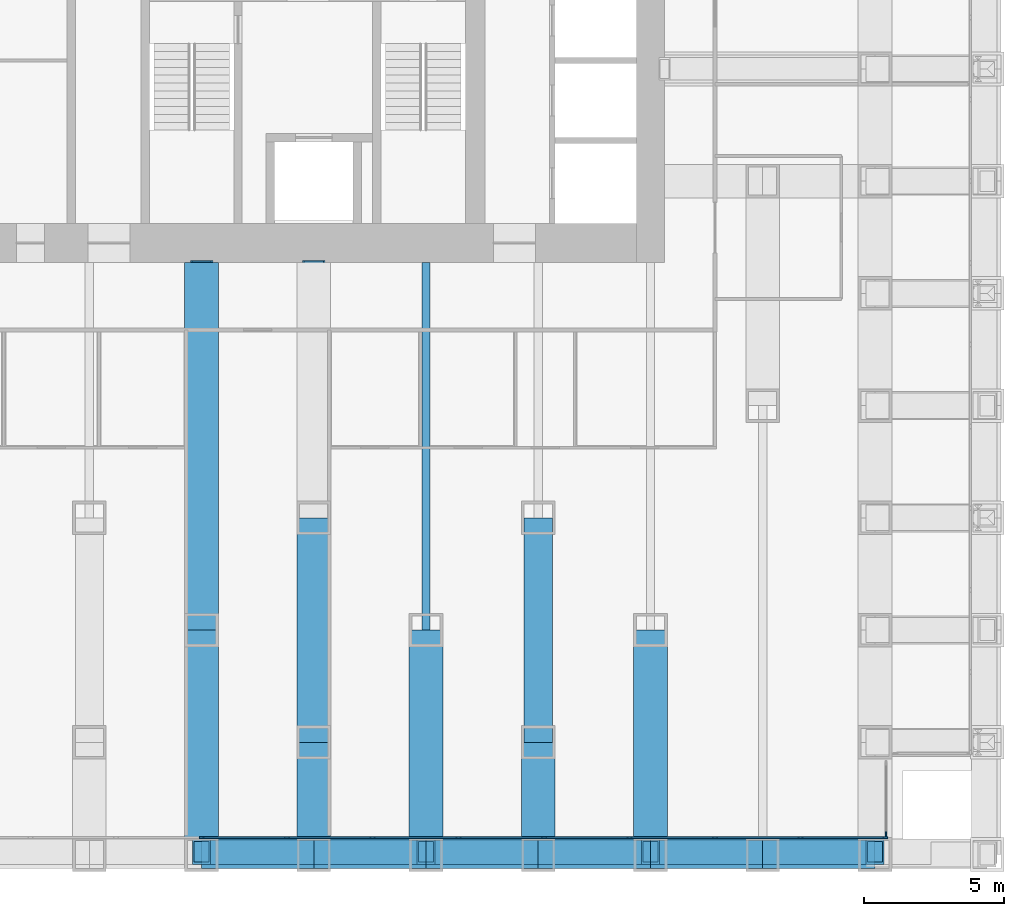
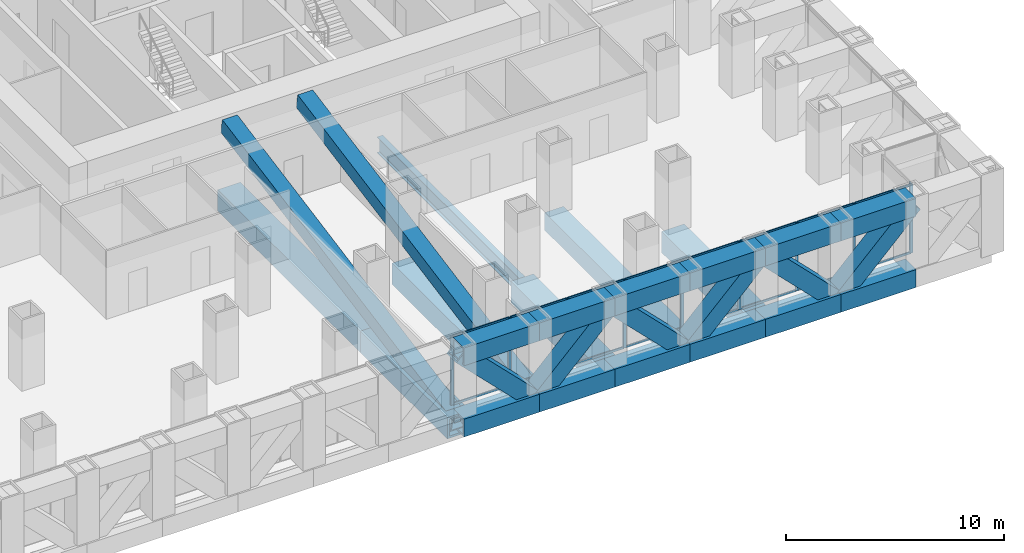
# One storey, part 5 of 18: 34 members, 21 beams, 2 elements without a shape of their own.
"""IFC4 building model written with IfcOpenShell, lengths in metres."""

import ifcopenshell
import ifcopenshell.guid

model = None  # the IFC model being written
_history = None  # IfcOwnerHistory: only IFC2X3 demands one
_inside = {}  # id of a spatial element -> (the spatial element, [elements in it])
_under = {}  # id of a project, library or spatial element -> (it, [spatial elements below it])
_declared = {}  # id of a project -> (the project, [libraries it declares])
_typed = {}  # id of a type object -> (the type object, [elements of that type])
_made_of = {}  # id of a material, layer set ... -> (it, [elements and type objects made of it])


def new_model(schema):
    """Start an empty IFC model of exactly this schema.

    Asked for "IFC4X3", IfcOpenShell would pick the latest addendum, in which some entities
    have other attributes; the version numbers below select the first issue.
    IFC2X3 requires an IfcOwnerHistory on every rooted entity: one is made here for all.
    """
    global model, _history
    if schema == "IFC4X3":
        model = ifcopenshell.file(schema_version=(4, 3, 0, 0))
    else:
        model = ifcopenshell.file(schema=schema)
    _inside.clear()
    _under.clear()
    _declared.clear()
    _typed.clear()
    _made_of.clear()
    _history = None
    if model.schema == "IFC2X3":
        org = make("IfcOrganization", Name="unknown")
        user = make(
            "IfcPersonAndOrganization",
            ThePerson=make("IfcPerson", FamilyName="unknown"),
            TheOrganization=org,
        )
        app = make(
            "IfcApplication",
            ApplicationDeveloper=org,
            Version="unknown",
            ApplicationFullName="unknown",
            ApplicationIdentifier="unknown",
        )
        _history = make(
            "IfcOwnerHistory",
            OwningUser=user,
            OwningApplication=app,
            ChangeAction="ADDED",
            CreationDate=0,
        )
    return model


def make(cls, **values):
    """One entity of the class cls with the attributes given. An attribute that is None is left unset."""
    return model.create_entity(
        cls, **{name: value for name, value in values.items() if value is not None}
    )


def rooted(cls, **values):
    """An entity with a GlobalId (a new one), such as an element, a storey or a relation."""
    return make(cls, GlobalId=ifcopenshell.guid.new(), OwnerHistory=_history, **values)


def si_unit(unit_type, name, prefix=None):
    """IfcSIUnit, for example si_unit("LENGTHUNIT", "METRE", prefix="MILLI")."""
    return make("IfcSIUnit", UnitType=unit_type, Prefix=prefix, Name=name)


def assignment(units):
    """IfcUnitAssignment: the units of a project."""
    return None if units is None else make("IfcUnitAssignment", Units=units)


def point(xyz):
    """IfcCartesianPoint."""
    return None if xyz is None else make("IfcCartesianPoint", Coordinates=xyz)


def direction(xyz):
    """IfcDirection."""
    return None if xyz is None else make("IfcDirection", DirectionRatios=xyz)


def frame(location, z_axis=None, x_axis=None):
    """IfcAxis2Placement3D, a coordinate frame: its origin and axes. An axis left out is left unset."""
    return make(
        "IfcAxis2Placement3D",
        Location=point(location),
        Axis=direction(z_axis),
        RefDirection=direction(x_axis),
    )


def frame_2d(location, x_axis=None):
    """IfcAxis2Placement2D, a coordinate frame in the plane: its origin and x axis."""
    return make(
        "IfcAxis2Placement2D", Location=point(location), RefDirection=direction(x_axis)
    )


def origin():
    """The frame at (0, 0, 0) with its axes left unset."""
    return frame((0.0, 0.0, 0.0))


def origin_2d():
    """The frame at (0, 0) in the plane with its x axis left unset."""
    return frame_2d((0.0, 0.0))


def place(relative_to, where):
    """IfcLocalPlacement: puts the frame where relative to a parent placement (None: the world)."""
    return make(
        "IfcLocalPlacement", PlacementRelTo=relative_to, RelativePlacement=where
    )


def context(
    kind, dimensions, precision=None, world=None, true_north=None, identifier=None
):
    """IfcGeometricRepresentationContext, for example the 3D "Model" context."""
    return make(
        "IfcGeometricRepresentationContext",
        ContextIdentifier=identifier,
        ContextType=kind,
        CoordinateSpaceDimension=dimensions,
        Precision=precision,
        WorldCoordinateSystem=world,
        TrueNorth=true_north,
    )


def subcontext(parent, identifier, kind, view, scale=None):
    """IfcGeometricRepresentationSubContext, for example "Body" below "Model"."""
    return make(
        "IfcGeometricRepresentationSubContext",
        ContextIdentifier=identifier,
        ContextType=kind,
        ParentContext=parent,
        TargetScale=scale,
        TargetView=view,
    )


def project(units=None, contexts=None):
    """IfcProject with its units and contexts."""
    return rooted(
        "IfcProject",
        Name="project",
        RepresentationContexts=contexts,
        UnitsInContext=assignment(units),
    )


def spatial(cls, under=None, at=None, **own):
    """A site, building, storey or space (cls), placed at a placement, below another one or the project."""
    s = rooted(cls, ObjectPlacement=at, **own)
    if under is not None:
        _under.setdefault(under.id(), (under, []))[1].append(s)
    return s


def profile(cls, at=None, kind="AREA", **sizes):
    """A parametric profile (cls). Its sizes go by their IFC names, for example OverallWidth=200.0."""
    return make(cls, ProfileType=kind, Position=at, **sizes)


def rectangle(**sizes):
    """IfcRectangleProfileDef."""
    return profile("IfcRectangleProfileDef", **sizes)


def hollow_rectangle(**sizes):
    """IfcRectangleHollowProfileDef."""
    return profile("IfcRectangleHollowProfileDef", **sizes)


def i_section(**sizes):
    """IfcIShapeProfileDef."""
    return profile("IfcIShapeProfileDef", **sizes)


def extrude(swept, where, along, depth):
    """IfcExtrudedAreaSolid: the profile swept, set in the frame where, extruded along a direction by depth."""
    return make(
        "IfcExtrudedAreaSolid",
        SweptArea=swept,
        Position=where,
        ExtrudedDirection=direction(along),
        Depth=depth,
    )


def shape(context_of_items, identifier, shape_type, items):
    """IfcShapeRepresentation: the items that make up one representation, for example the "Body"."""
    return make(
        "IfcShapeRepresentation",
        ContextOfItems=context_of_items,
        RepresentationIdentifier=identifier,
        RepresentationType=shape_type,
        Items=items,
    )


def material(Name=None, Category=None):
    """IfcMaterial."""
    return make("IfcMaterial", Name=Name, Category=Category)


def material_profile(
    of_material, cross_section, Name=None, Category=None, Priority=None
):
    """IfcMaterialProfile: a cross section and its material."""
    return make(
        "IfcMaterialProfile",
        Name=Name,
        Material=of_material,
        Profile=cross_section,
        Priority=Priority,
        Category=Category,
    )


def profile_set(profiles, Name=None, composite=None):
    """IfcMaterialProfileSet."""
    return make(
        "IfcMaterialProfileSet",
        Name=Name,
        MaterialProfiles=profiles,
        CompositeProfile=composite,
    )


def made_of(thing, what):
    """Note that an element or type object is made of a material, layer set ...; save() writes the relation."""
    if what is not None:
        _made_of.setdefault(what.id(), (what, []))[1].append(thing)
    return thing


def type_object(cls, material=None, **own):
    """A type object (cls), such as IfcWallType, which elements share."""
    return made_of(rooted(cls, **own), material)


def element(
    cls,
    number,
    at=None,
    inside=None,
    cuts=None,
    type_object=None,
    material=None,
    context=None,
    identifier="Body",
    shape_type=None,
    held_by="IfcProductDefinitionShape",
    body=None,
    shapes=None,
    **own,
):
    """One element of the class cls, such as IfcWall. Its Tag is "e" and its number.

    at: its placement. inside: the storey or other place that contains it. cuts: it is an
    opening in that element (IfcRelVoidsElement). A single representation is given by context,
    identifier, shape_type and body (its items); several are given by shapes. held_by: the class
    of the entity that holds the representations. save() writes the other relations.
    """
    e = rooted(cls, Tag="e%d" % number, ObjectPlacement=at, **own)
    if body is not None:
        shapes = [shape(context, identifier, shape_type, body)]
    if shapes is not None:
        e.Representation = make(held_by, Representations=shapes)
    if inside is not None:
        _inside.setdefault(inside.id(), (inside, []))[1].append(e)
    if cuts is not None:
        rooted(
            "IfcRelVoidsElement", RelatingBuildingElement=cuts, RelatedOpeningElement=e
        )
    if type_object is not None:
        _typed.setdefault(type_object.id(), (type_object, []))[1].append(e)
    return made_of(e, material)


def aggregate(whole, parts):
    """IfcRelAggregates: a whole, such as a stair, and the parts it consists of."""
    return rooted("IfcRelAggregates", RelatingObject=whole, RelatedObjects=parts)


def save(model, path):
    """Write the relations noted so far, then the file.

    IfcRelAggregates (storeys below a building ...), IfcRelContainedInSpatialStructure (elements
    in a storey), IfcRelDefinesByType, IfcRelAssociatesMaterial and IfcRelDeclares: one each for
    every whole, place, type object, material and project.
    """
    for whole, parts in _under.values():
        aggregate(whole, parts)
    for where, things in _inside.values():
        rooted(
            "IfcRelContainedInSpatialStructure",
            RelatedElements=things,
            RelatingStructure=where,
        )
    for kind, things in _typed.values():
        rooted("IfcRelDefinesByType", RelatedObjects=things, RelatingType=kind)
    for what, things in _made_of.values():
        rooted("IfcRelAssociatesMaterial", RelatedObjects=things, RelatingMaterial=what)
    for by, libraries in _declared.values():
        rooted("IfcRelDeclares", RelatingContext=by, RelatedDefinitions=libraries)
    model.write(path)


model = new_model("IFC4")

# Units and contexts
model_context = context("Model", 3, precision=1e-05, world=origin(), true_north=direction((0.0, 1.0)))
body_context = subcontext(model_context, "Body", "Model", "MODEL_VIEW")
ifc_project = project(units=[si_unit("LENGTHUNIT", "METRE"), si_unit("AREAUNIT", "SQUARE_METRE"), si_unit("VOLUMEUNIT", "CUBIC_METRE"), si_unit("PLANEANGLEUNIT", "RADIAN"), si_unit("MASSUNIT", "GRAM", prefix="KILO")], contexts=[model_context])

# Site, building, storey
site_placement = place(None, origin())
site = spatial("IfcSite", under=ifc_project, at=site_placement, CompositionType="ELEMENT")
building_placement = place(site_placement, origin())
building = spatial("IfcBuilding", under=site, at=building_placement, Name="Rimbunsela Tower", CompositionType="ELEMENT")
storey_placement = place(building_placement, frame((0.0, 0.0, 11.0)))
storey = spatial("IfcBuildingStorey", under=building, at=storey_placement, Name="L02", CompositionType="ELEMENT", Elevation=11.0)

# Beams
ifc_material_1 = material(Name="Steel BJ 55 (fy 410 MPa)", Category="steel")
ifc_material_profile_1 = material_profile(ifc_material_1, hollow_rectangle(XDim=1.0, YDim=1.0, WallThickness=0.10009765625, at=origin_2d()), Name="BOX 1000x1000x100")
ifc_profile_set_1 = profile_set([ifc_material_profile_1], Name="Steel BJ 55 (fy 410 MPa)")
beam_type_1 = type_object("IfcBeamType", Name="Beam BOX 1000x1000x100", PredefinedType="BEAM", material=ifc_profile_set_1)
beam_1_placement = place(storey_placement, frame((38.0, 0.0, -0.64990234375), z_axis=(0.0, 1.0, 0.0), x_axis=(-1.0, 0.0, 0.0)))
element("IfcBeam", 1, at=beam_1_placement, inside=storey, type_object=beam_type_1, Name="Beam B3 L02", PredefinedType="BEAM", context=body_context, shape_type="SweptSolid", body=[
    extrude(hollow_rectangle(XDim=1.0, YDim=1.0, WallThickness=0.10009765625, at=origin_2d()), origin(), (0.0, 0.0, 1.0), 8.0),
])
ifc_material_2 = material(Name="Steel BJ 55 (fy 410 MPa)", Category="steel")
ifc_material_profile_2 = material_profile(ifc_material_2, hollow_rectangle(XDim=1.199951171875, YDim=1.199951171875, WallThickness=0.10009765625, at=origin_2d()), Name="BOX 1200x1200x100")
ifc_profile_set_2 = profile_set([ifc_material_profile_2], Name="Steel BJ 55 (fy 410 MPa)")
beam_type_2 = type_object("IfcBeamType", Name="Beam BOX 1200x1200x100", PredefinedType="BEAM", material=ifc_profile_set_2)
beam_2_placement = place(storey_placement, frame((26.0, 4.0, -0.75), z_axis=(0.0, 1.0, 0.0), x_axis=(-1.0, 0.0, 0.0)))
element("IfcBeam", 2, at=beam_2_placement, inside=storey, type_object=beam_type_2, Name="Beam B5 L02", PredefinedType="BEAM", context=body_context, shape_type="SweptSolid", body=[
    extrude(hollow_rectangle(XDim=1.199951171875, YDim=1.199951171875, WallThickness=0.10009765625, at=origin_2d()), origin(), (0.0, 0.0, 1.0), 13.10009765625),
])
beam_3_placement = place(storey_placement, frame((30.0, 0.0, -0.75), z_axis=(0.0, 1.0, 0.0), x_axis=(-1.0, 0.0, 0.0)))
element("IfcBeam", 3, at=beam_3_placement, inside=storey, type_object=beam_type_2, Name="Beam B5 L02", PredefinedType="BEAM", context=body_context, shape_type="SweptSolid", body=[
    extrude(hollow_rectangle(XDim=1.199951171875, YDim=1.199951171875, WallThickness=0.10009765625, at=origin_2d()), origin(), (0.0, 0.0, 1.0), 8.0),
])
ifc_material_3 = material(Name="Steel BJ 55 (fy 410 MPa)", Category="steel")
ifc_material_profile_3 = material_profile(ifc_material_3, hollow_rectangle(XDim=1.199951171875, YDim=1.199951171875, WallThickness=0.125, at=origin_2d()), Name="BOX 1200x1200x125")
ifc_profile_set_3 = profile_set([ifc_material_profile_3], Name="Steel BJ 55 (fy 410 MPa)")
beam_type_3 = type_object("IfcBeamType", Name="Beam BOX 1200x1200x125", PredefinedType="BEAM", material=ifc_profile_set_3)
beam_4_placement = place(storey_placement, frame((26.0, -4.0, -0.75), z_axis=(0.0, 1.0, 0.0), x_axis=(-1.0, 0.0, 0.0)))
element("IfcBeam", 4, at=beam_4_placement, inside=storey, type_object=beam_type_3, Name="Beam B4 L02", PredefinedType="BEAM", context=body_context, shape_type="SweptSolid", body=[
    extrude(hollow_rectangle(XDim=1.199951171875, YDim=1.199951171875, WallThickness=0.125, at=origin_2d()), origin(), (0.0, 0.0, 1.0), 8.0),
])
beam_5_placement = place(storey_placement, frame((30.0, -4.0, -0.75), z_axis=(0.0, 1.0, 0.0), x_axis=(-1.0, 0.0, 0.0)))
element("IfcBeam", 5, at=beam_5_placement, inside=storey, type_object=beam_type_3, Name="Beam B4 L02", PredefinedType="BEAM", context=body_context, shape_type="SweptSolid", body=[
    extrude(hollow_rectangle(XDim=1.199951171875, YDim=1.199951171875, WallThickness=0.125, at=origin_2d()), origin(), (0.0, 0.0, 1.0), 4.0),
])
beam_6_placement = place(storey_placement, frame((34.0, -4.0, -0.75), z_axis=(0.0, 1.0, 0.0), x_axis=(-1.0, 0.0, 0.0)))
element("IfcBeam", 6, at=beam_6_placement, inside=storey, type_object=beam_type_3, Name="Beam B4 L02", PredefinedType="BEAM", context=body_context, shape_type="SweptSolid", body=[
    extrude(hollow_rectangle(XDim=1.199951171875, YDim=1.199951171875, WallThickness=0.125, at=origin_2d()), origin(), (0.0, 0.0, 1.0), 8.0),
])
beam_7_placement = place(storey_placement, frame((38.0, -4.0, -0.75), z_axis=(0.0, 1.0, 0.0), x_axis=(-1.0, 0.0, 0.0)))
element("IfcBeam", 7, at=beam_7_placement, inside=storey, type_object=beam_type_3, Name="Beam B4 L02", PredefinedType="BEAM", context=body_context, shape_type="SweptSolid", body=[
    extrude(hollow_rectangle(XDim=1.199951171875, YDim=1.199951171875, WallThickness=0.125, at=origin_2d()), origin(), (0.0, 0.0, 1.0), 4.0),
])
beam_8_placement = place(storey_placement, frame((42.0, -4.0, -0.75), z_axis=(0.0, 1.0, 0.0), x_axis=(-1.0, 0.0, 0.0)))
element("IfcBeam", 8, at=beam_8_placement, inside=storey, type_object=beam_type_3, Name="Beam B4 L02", PredefinedType="BEAM", context=body_context, shape_type="SweptSolid", body=[
    extrude(hollow_rectangle(XDim=1.199951171875, YDim=1.199951171875, WallThickness=0.125, at=origin_2d()), origin(), (0.0, 0.0, 1.0), 8.0),
])
ifc_material_4 = material(Name="Steel BJ 55 (fy 410 MPa)", Category="steel")
ifc_material_profile_4 = material_profile(ifc_material_4, i_section(OverallWidth=0.300048828125, OverallDepth=0.89990234375, WebThickness=0.01611328125, FlangeThickness=0.028076171875, FilletRadius=0.028076171875, at=origin_2d()), Name="H 900x300x16x28")
ifc_profile_set_4 = profile_set([ifc_material_profile_4], Name="Steel BJ 55 (fy 410 MPa)")
beam_type_4 = type_object("IfcBeamType", Name="Beam H 900x300x16x28", PredefinedType="BEAM", material=ifc_profile_set_4)
beam_9_placement = place(storey_placement, frame((34.0, 4.0, -0.60009765625), z_axis=(0.0, 1.0, 0.0), x_axis=(-1.0, 0.0, 0.0)))
element("IfcBeam", 9, at=beam_9_placement, inside=storey, type_object=beam_type_4, Name="Beam B2 L02", PredefinedType="BEAM", context=body_context, shape_type="SweptSolid", body=[
    extrude(i_section(OverallWidth=0.300048828125, OverallDepth=0.89990234375, WebThickness=0.01611328125, FlangeThickness=0.028076171875, FilletRadius=0.028076171875, at=origin_2d()), origin(), (0.0, 0.0, 1.0), 13.10009765625),
])

# Curtain wall, member
ifc_material_5 = material(Name="Aluminium curtain wall", Category="aluminium")
curtain_wall_type_1 = type_object("IfcCurtainWallType", Name="Corner glazing", PredefinedType="USERDEFINED", material=ifc_material_5)
curtain_wall_1_placement = place(storey_placement, origin())
curtain_wall_1 = element("IfcCurtainWall", 10, at=curtain_wall_1_placement, inside=storey, type_object=curtain_wall_type_1, Name="Corner glazing L02", ObjectType="CORNER GLAZING", PredefinedType="USERDEFINED")
ifc_material_6 = material(Name="Aluminium mullion", Category="aluminium")
ifc_material_profile_5 = material_profile(ifc_material_6, rectangle(XDim=0.06005859375, YDim=0.159912109375, at=origin_2d()), Name="Mullion 60x160")
ifc_profile_set_5 = profile_set([ifc_material_profile_5], Name="Aluminium mullion")
member_type_1 = type_object("IfcMemberType", Name="Curtain wall mullion 60x160", PredefinedType="MULLION", material=ifc_profile_set_5)
member_1_placement = place(storey_placement, frame((50.39990234375, -3.27001953125, 0.0), z_axis=(0.0, 0.0, 1.0), x_axis=(-1.0, 0.0, 0.0)))
member_1 = element("IfcMember", 11, at=member_1_placement, type_object=member_type_1, Name="CW5 mullion 1", PredefinedType="MULLION", context=body_context, shape_type="SweptSolid", body=[
    extrude(rectangle(XDim=0.06005859375, YDim=0.159912109375, at=origin_2d()), origin(), (0.0, 0.0, 1.0), 3.85009765625),
])
aggregate(curtain_wall_1, [member_1])

# Curtain wall, members
ifc_material_7 = material(Name="Aluminium curtain wall", Category="aluminium")
curtain_wall_type_2 = type_object("IfcCurtainWallType", Name="Exoskeleton storey infill", PredefinedType="USERDEFINED", material=ifc_material_7)
curtain_wall_2_placement = place(storey_placement, origin())
curtain_wall_2 = element("IfcCurtainWall", 12, at=curtain_wall_2_placement, inside=storey, type_object=curtain_wall_type_2, Name="Exoskeleton storey infill L02", ObjectType="EXOSKELETON STOREY INFILL", PredefinedType="USERDEFINED")
member_2_placement = place(storey_placement, frame((26.0, -3.39990234375, 0.0), z_axis=(0.0, 0.0, 1.0), x_axis=(0.0, 1.0, 0.0)))
member_2 = element("IfcMember", 13, at=member_2_placement, type_object=member_type_1, Name="CW2 mullion 9", PredefinedType="MULLION", context=body_context, shape_type="SweptSolid", body=[
    extrude(rectangle(XDim=0.06005859375, YDim=0.159912109375, at=origin_2d()), origin(), (0.0, 0.0, 1.0), 3.85009765625),
])
member_3_placement = place(storey_placement, frame((29.050048828125, -3.39990234375, 0.0), z_axis=(0.0, 0.0, 1.0), x_axis=(0.0, 1.0, 0.0)))
member_3 = element("IfcMember", 14, at=member_3_placement, type_object=member_type_1, Name="CW2 mullion 10", PredefinedType="MULLION", context=body_context, shape_type="SweptSolid", body=[
    extrude(rectangle(XDim=0.06005859375, YDim=0.159912109375, at=origin_2d()), origin(), (0.0, 0.0, 1.0), 3.85009765625),
])
member_4_placement = place(storey_placement, frame((32.10009765625, -3.39990234375, 0.0), z_axis=(0.0, 0.0, 1.0), x_axis=(0.0, 1.0, 0.0)))
member_4 = element("IfcMember", 15, at=member_4_placement, type_object=member_type_1, Name="CW2 mullion 11", PredefinedType="MULLION", context=body_context, shape_type="SweptSolid", body=[
    extrude(rectangle(XDim=0.06005859375, YDim=0.159912109375, at=origin_2d()), origin(), (0.0, 0.0, 1.0), 3.85009765625),
])
member_5_placement = place(storey_placement, frame((35.14990234375, -3.39990234375, 0.0), z_axis=(0.0, 0.0, 1.0), x_axis=(0.0, 1.0, 0.0)))
member_5 = element("IfcMember", 16, at=member_5_placement, type_object=member_type_1, Name="CW2 mullion 12", PredefinedType="MULLION", context=body_context, shape_type="SweptSolid", body=[
    extrude(rectangle(XDim=0.06005859375, YDim=0.159912109375, at=origin_2d()), origin(), (0.0, 0.0, 1.0), 3.85009765625),
])
member_6_placement = place(storey_placement, frame((38.199951171875, -3.39990234375, 0.0), z_axis=(0.0, 0.0, 1.0), x_axis=(0.0, 1.0, 0.0)))
member_6 = element("IfcMember", 17, at=member_6_placement, type_object=member_type_1, Name="CW2 mullion 13", PredefinedType="MULLION", context=body_context, shape_type="SweptSolid", body=[
    extrude(rectangle(XDim=0.06005859375, YDim=0.159912109375, at=origin_2d()), origin(), (0.0, 0.0, 1.0), 3.85009765625),
])
member_7_placement = place(storey_placement, frame((41.25, -3.39990234375, 0.0), z_axis=(0.0, 0.0, 1.0), x_axis=(0.0, 1.0, 0.0)))
member_7 = element("IfcMember", 18, at=member_7_placement, type_object=member_type_1, Name="CW2 mullion 14", PredefinedType="MULLION", context=body_context, shape_type="SweptSolid", body=[
    extrude(rectangle(XDim=0.06005859375, YDim=0.159912109375, at=origin_2d()), origin(), (0.0, 0.0, 1.0), 3.85009765625),
])
member_8_placement = place(storey_placement, frame((44.300048828125, -3.39990234375, 0.0), z_axis=(0.0, 0.0, 1.0), x_axis=(0.0, 1.0, 0.0)))
member_8 = element("IfcMember", 19, at=member_8_placement, type_object=member_type_1, Name="CW2 mullion 15", PredefinedType="MULLION", context=body_context, shape_type="SweptSolid", body=[
    extrude(rectangle(XDim=0.06005859375, YDim=0.159912109375, at=origin_2d()), origin(), (0.0, 0.0, 1.0), 3.85009765625),
])
member_9_placement = place(storey_placement, frame((47.35009765625, -3.39990234375, 0.0), z_axis=(0.0, 0.0, 1.0), x_axis=(0.0, 1.0, 0.0)))
member_9 = element("IfcMember", 20, at=member_9_placement, type_object=member_type_1, Name="CW2 mullion 16", PredefinedType="MULLION", context=body_context, shape_type="SweptSolid", body=[
    extrude(rectangle(XDim=0.06005859375, YDim=0.159912109375, at=origin_2d()), origin(), (0.0, 0.0, 1.0), 3.85009765625),
])
member_10_placement = place(storey_placement, frame((50.3701171875, -3.39990234375, 0.0), z_axis=(0.0, 0.0, 1.0), x_axis=(0.0, 1.0, 0.0)))
member_10 = element("IfcMember", 21, at=member_10_placement, type_object=member_type_1, Name="CW2 mullion 17", PredefinedType="MULLION", context=body_context, shape_type="SweptSolid", body=[
    extrude(rectangle(XDim=0.06005859375, YDim=0.159912109375, at=origin_2d()), origin(), (0.0, 0.0, 1.0), 3.85009765625),
])
ifc_material_8 = material(Name="Aluminium transom", Category="aluminium")
ifc_material_profile_6 = material_profile(ifc_material_8, rectangle(XDim=0.06005859375, YDim=0.1201171875, at=origin_2d()), Name="Transom 60x120")
ifc_profile_set_6 = profile_set([ifc_material_profile_6], Name="Aluminium transom")
member_type_2 = type_object("IfcMemberType", Name="Curtain wall transom 60x120", PredefinedType="USERDEFINED", material=ifc_profile_set_6)
member_11_placement = place(storey_placement, frame((26.030029296875, -3.39990234375, 0.030029296875), z_axis=(1.0, 0.0, 0.0), x_axis=(0.0, 1.0, 0.0)))
member_11 = element("IfcMember", 22, at=member_11_placement, type_object=member_type_2, Name="CW2 transom 9.1", ObjectType="TRANSOM", PredefinedType="USERDEFINED", context=body_context, shape_type="SweptSolid", body=[
    extrude(rectangle(XDim=0.06005859375, YDim=0.1201171875, at=origin_2d()), origin(), (0.0, 0.0, 1.0), 2.989990234375),
])
member_12_placement = place(storey_placement, frame((26.030029296875, -3.39990234375, 3.820068359375), z_axis=(1.0, 0.0, 0.0), x_axis=(0.0, 1.0, 0.0)))
member_12 = element("IfcMember", 23, at=member_12_placement, type_object=member_type_2, Name="CW2 transom 9.2", ObjectType="TRANSOM", PredefinedType="USERDEFINED", context=body_context, shape_type="SweptSolid", body=[
    extrude(rectangle(XDim=0.06005859375, YDim=0.1201171875, at=origin_2d()), origin(), (0.0, 0.0, 1.0), 2.989990234375),
])
member_13_placement = place(storey_placement, frame((29.080078125, -3.39990234375, 0.030029296875), z_axis=(1.0, 0.0, 0.0), x_axis=(0.0, 1.0, 0.0)))
member_13 = element("IfcMember", 24, at=member_13_placement, type_object=member_type_2, Name="CW2 transom 10.1", ObjectType="TRANSOM", PredefinedType="USERDEFINED", context=body_context, shape_type="SweptSolid", body=[
    extrude(rectangle(XDim=0.06005859375, YDim=0.1201171875, at=origin_2d()), origin(), (0.0, 0.0, 1.0), 2.989990234375),
])
member_14_placement = place(storey_placement, frame((29.080078125, -3.39990234375, 3.820068359375), z_axis=(1.0, 0.0, 0.0), x_axis=(0.0, 1.0, 0.0)))
member_14 = element("IfcMember", 25, at=member_14_placement, type_object=member_type_2, Name="CW2 transom 10.2", ObjectType="TRANSOM", PredefinedType="USERDEFINED", context=body_context, shape_type="SweptSolid", body=[
    extrude(rectangle(XDim=0.06005859375, YDim=0.1201171875, at=origin_2d()), origin(), (0.0, 0.0, 1.0), 2.989990234375),
])
member_15_placement = place(storey_placement, frame((32.1298828125, -3.39990234375, 0.030029296875), z_axis=(1.0, 0.0, 0.0), x_axis=(0.0, 1.0, 0.0)))
member_15 = element("IfcMember", 26, at=member_15_placement, type_object=member_type_2, Name="CW2 transom 11.1", ObjectType="TRANSOM", PredefinedType="USERDEFINED", context=body_context, shape_type="SweptSolid", body=[
    extrude(rectangle(XDim=0.06005859375, YDim=0.1201171875, at=origin_2d()), origin(), (0.0, 0.0, 1.0), 2.990234375),
])
member_16_placement = place(storey_placement, frame((32.1298828125, -3.39990234375, 3.820068359375), z_axis=(1.0, 0.0, 0.0), x_axis=(0.0, 1.0, 0.0)))
member_16 = element("IfcMember", 27, at=member_16_placement, type_object=member_type_2, Name="CW2 transom 11.2", ObjectType="TRANSOM", PredefinedType="USERDEFINED", context=body_context, shape_type="SweptSolid", body=[
    extrude(rectangle(XDim=0.06005859375, YDim=0.1201171875, at=origin_2d()), origin(), (0.0, 0.0, 1.0), 2.990234375),
])
member_17_placement = place(storey_placement, frame((35.179931640625, -3.39990234375, 0.030029296875), z_axis=(1.0, 0.0, 0.0), x_axis=(0.0, 1.0, 0.0)))
member_17 = element("IfcMember", 28, at=member_17_placement, type_object=member_type_2, Name="CW2 transom 12.1", ObjectType="TRANSOM", PredefinedType="USERDEFINED", context=body_context, shape_type="SweptSolid", body=[
    extrude(rectangle(XDim=0.06005859375, YDim=0.1201171875, at=origin_2d()), origin(), (0.0, 0.0, 1.0), 2.989990234375),
])
member_18_placement = place(storey_placement, frame((35.179931640625, -3.39990234375, 3.820068359375), z_axis=(1.0, 0.0, 0.0), x_axis=(0.0, 1.0, 0.0)))
member_18 = element("IfcMember", 29, at=member_18_placement, type_object=member_type_2, Name="CW2 transom 12.2", ObjectType="TRANSOM", PredefinedType="USERDEFINED", context=body_context, shape_type="SweptSolid", body=[
    extrude(rectangle(XDim=0.06005859375, YDim=0.1201171875, at=origin_2d()), origin(), (0.0, 0.0, 1.0), 2.989990234375),
])
member_19_placement = place(storey_placement, frame((38.22998046875, -3.39990234375, 0.030029296875), z_axis=(1.0, 0.0, 0.0), x_axis=(0.0, 1.0, 0.0)))
member_19 = element("IfcMember", 30, at=member_19_placement, type_object=member_type_2, Name="CW2 transom 13.1", ObjectType="TRANSOM", PredefinedType="USERDEFINED", context=body_context, shape_type="SweptSolid", body=[
    extrude(rectangle(XDim=0.06005859375, YDim=0.1201171875, at=origin_2d()), origin(), (0.0, 0.0, 1.0), 2.989990234375),
])
member_20_placement = place(storey_placement, frame((38.22998046875, -3.39990234375, 3.820068359375), z_axis=(1.0, 0.0, 0.0), x_axis=(0.0, 1.0, 0.0)))
member_20 = element("IfcMember", 31, at=member_20_placement, type_object=member_type_2, Name="CW2 transom 13.2", ObjectType="TRANSOM", PredefinedType="USERDEFINED", context=body_context, shape_type="SweptSolid", body=[
    extrude(rectangle(XDim=0.06005859375, YDim=0.1201171875, at=origin_2d()), origin(), (0.0, 0.0, 1.0), 2.989990234375),
])
member_21_placement = place(storey_placement, frame((41.280029296875, -3.39990234375, 0.030029296875), z_axis=(1.0, 0.0, 0.0), x_axis=(0.0, 1.0, 0.0)))
member_21 = element("IfcMember", 32, at=member_21_placement, type_object=member_type_2, Name="CW2 transom 14.1", ObjectType="TRANSOM", PredefinedType="USERDEFINED", context=body_context, shape_type="SweptSolid", body=[
    extrude(rectangle(XDim=0.06005859375, YDim=0.1201171875, at=origin_2d()), origin(), (0.0, 0.0, 1.0), 2.989990234375),
])
member_22_placement = place(storey_placement, frame((41.280029296875, -3.39990234375, 3.820068359375), z_axis=(1.0, 0.0, 0.0), x_axis=(0.0, 1.0, 0.0)))
member_22 = element("IfcMember", 33, at=member_22_placement, type_object=member_type_2, Name="CW2 transom 14.2", ObjectType="TRANSOM", PredefinedType="USERDEFINED", context=body_context, shape_type="SweptSolid", body=[
    extrude(rectangle(XDim=0.06005859375, YDim=0.1201171875, at=origin_2d()), origin(), (0.0, 0.0, 1.0), 2.989990234375),
])
member_23_placement = place(storey_placement, frame((44.330078125, -3.39990234375, 0.030029296875), z_axis=(1.0, 0.0, 0.0), x_axis=(0.0, 1.0, 0.0)))
member_23 = element("IfcMember", 34, at=member_23_placement, type_object=member_type_2, Name="CW2 transom 15.1", ObjectType="TRANSOM", PredefinedType="USERDEFINED", context=body_context, shape_type="SweptSolid", body=[
    extrude(rectangle(XDim=0.06005859375, YDim=0.1201171875, at=origin_2d()), origin(), (0.0, 0.0, 1.0), 2.989990234375),
])
member_24_placement = place(storey_placement, frame((44.330078125, -3.39990234375, 3.820068359375), z_axis=(1.0, 0.0, 0.0), x_axis=(0.0, 1.0, 0.0)))
member_24 = element("IfcMember", 35, at=member_24_placement, type_object=member_type_2, Name="CW2 transom 15.2", ObjectType="TRANSOM", PredefinedType="USERDEFINED", context=body_context, shape_type="SweptSolid", body=[
    extrude(rectangle(XDim=0.06005859375, YDim=0.1201171875, at=origin_2d()), origin(), (0.0, 0.0, 1.0), 2.989990234375),
])
member_25_placement = place(storey_placement, frame((47.3798828125, -3.39990234375, 0.030029296875), z_axis=(1.0, 0.0, 0.0), x_axis=(0.0, 1.0, 0.0)))
member_25 = element("IfcMember", 36, at=member_25_placement, type_object=member_type_2, Name="CW2 transom 16.1", ObjectType="TRANSOM", PredefinedType="USERDEFINED", context=body_context, shape_type="SweptSolid", body=[
    extrude(rectangle(XDim=0.06005859375, YDim=0.1201171875, at=origin_2d()), origin(), (0.0, 0.0, 1.0), 2.960205078125),
])
member_26_placement = place(storey_placement, frame((47.3798828125, -3.39990234375, 3.820068359375), z_axis=(1.0, 0.0, 0.0), x_axis=(0.0, 1.0, 0.0)))
member_26 = element("IfcMember", 37, at=member_26_placement, type_object=member_type_2, Name="CW2 transom 16.2", ObjectType="TRANSOM", PredefinedType="USERDEFINED", context=body_context, shape_type="SweptSolid", body=[
    extrude(rectangle(XDim=0.06005859375, YDim=0.1201171875, at=origin_2d()), origin(), (0.0, 0.0, 1.0), 2.960205078125),
])
aggregate(curtain_wall_2, [member_2, member_3, member_4, member_5, member_6, member_7, member_8, member_9, member_10, member_11, member_12, member_13, member_14, member_15, member_16, member_17, member_18, member_19, member_20, member_21, member_22, member_23, member_24, member_25, member_26])

# Members
ifc_material_9 = material(Name="Steel BJ 55 (fy 410 MPa)", Category="steel")
ifc_material_profile_7 = material_profile(ifc_material_9, hollow_rectangle(XDim=0.800048828125, YDim=0.800048828125, WallThickness=0.06005859375, at=origin_2d()), Name="BOX 800x800x60")
ifc_profile_set_7 = profile_set([ifc_material_profile_7], Name="Steel BJ 55 (fy 410 MPa)")
member_type_3 = type_object("IfcMemberType", Name="Outrigger brace BOX 800x800x60", PredefinedType="BRACE", material=ifc_profile_set_7)
for number, where, z_axis, x_axis, name in (
    (38, (30.0, -4.0, -0.64990234375), (0.0, 0.982501376402, 0.186255323062), (-1.0, 0.0, 0.0), "Outrigger brace OB1 S L02"),
    (39, (26.0, -4.0, -0.64990234375), (0.0, 0.982501376402, 0.186255323062), (-1.0, 0.0, 0.0), "Outrigger brace OB1 S L02"),
):
    element("IfcMember", number, at=place(storey_placement, frame(where, z_axis=z_axis, x_axis=x_axis)), inside=storey, type_object=member_type_3, Name=name, PredefinedType="BRACE", context=body_context, shape_type="SweptSolid", body=[
        extrude(hollow_rectangle(XDim=0.800048828125, YDim=0.800048828125, WallThickness=0.06005859375, at=origin_2d()), origin(), (0.0, 0.0, 1.0), 21.475830078125),
    ])

# Beams
ifc_material_10 = material(Name="Steel BJ 55 (fy 410 MPa)", Category="steel")
ifc_material_profile_8 = material_profile(ifc_material_10, hollow_rectangle(XDim=1.0, YDim=1.0, WallThickness=0.10009765625, at=origin_2d()), Name="BOX 1000x1000x100")
ifc_profile_set_8 = profile_set([ifc_material_profile_8], Name="Steel BJ 55 (fy 410 MPa)")
beam_type_5 = type_object("IfcBeamType", Name="Truss chord BOX 1000x1000x100", PredefinedType="USERDEFINED", material=ifc_profile_set_8)
for number, where, z_axis, x_axis, name in (
    (40, (26.0, -4.0, 3.35009765625), (1.0, 0.0, 0.0), (0.0, 1.0, 0.0), "Truss top chord TC1 S face L02"),
    (41, (30.0, -4.0, 3.35009765625), (1.0, 0.0, 0.0), (0.0, 1.0, 0.0), "Truss top chord TC1 S face L02"),
    (42, (34.0, -4.0, 3.35009765625), (1.0, 0.0, 0.0), (0.0, 1.0, 0.0), "Truss top chord TC1 S face L02"),
    (43, (38.0, -4.0, 3.35009765625), (1.0, 0.0, 0.0), (0.0, 1.0, 0.0), "Truss top chord TC1 S face L02"),
    (44, (42.0, -4.0, 3.35009765625), (1.0, 0.0, 0.0), (0.0, 1.0, 0.0), "Truss top chord TC1 S face L02"),
    (45, (46.0, -4.0, 3.35009765625), (1.0, 0.0, 0.0), (0.0, 1.0, 0.0), "Truss top chord TC1 S face L02"),
    (46, (26.0, -4.0, -0.64990234375), (1.0, 0.0, 0.0), (0.0, 1.0, 0.0), "Truss bottom chord TC1 S face L02"),
    (47, (30.0, -4.0, -0.64990234375), (1.0, 0.0, 0.0), (0.0, 1.0, 0.0), "Truss bottom chord TC1 S face L02"),
    (48, (34.0, -4.0, -0.64990234375), (1.0, 0.0, 0.0), (0.0, 1.0, 0.0), "Truss bottom chord TC1 S face L02"),
    (49, (38.0, -4.0, -0.64990234375), (1.0, 0.0, 0.0), (0.0, 1.0, 0.0), "Truss bottom chord TC1 S face L02"),
    (50, (42.0, -4.0, -0.64990234375), (1.0, 0.0, 0.0), (0.0, 1.0, 0.0), "Truss bottom chord TC1 S face L02"),
    (51, (46.0, -4.0, -0.64990234375), (1.0, 0.0, 0.0), (0.0, 1.0, 0.0), "Truss bottom chord TC1 S face L02"),
):
    element("IfcBeam", number, at=place(storey_placement, frame(where, z_axis=z_axis, x_axis=x_axis)), inside=storey, type_object=beam_type_5, Name=name, ObjectType="TRUSS CHORD", PredefinedType="USERDEFINED", context=body_context, shape_type="SweptSolid", body=[
        extrude(hollow_rectangle(XDim=1.0, YDim=1.0, WallThickness=0.10009765625, at=origin_2d()), origin(), (0.0, 0.0, 1.0), 4.0),
    ])

# Members
ifc_material_11 = material(Name="Steel BJ 55 (fy 410 MPa)", Category="steel")
ifc_material_profile_9 = material_profile(ifc_material_11, hollow_rectangle(XDim=0.89990234375, YDim=0.89990234375, WallThickness=0.080078125, at=origin_2d()), Name="BOX 900x900x80")
ifc_profile_set_9 = profile_set([ifc_material_profile_9], Name="Steel BJ 55 (fy 410 MPa)")
member_type_4 = type_object("IfcMemberType", Name="Truss diagonal BOX 900x900x80", PredefinedType="BRACE", material=ifc_profile_set_9)
for number, where, z_axis, x_axis, name in (
    (52, (26.0, -3.89990234375, 3.35009765625), (0.707106781187, 0.0, -0.707106781187), (0.0, 1.0, 0.0), "Truss diagonal TD1 S face L02"),
    (53, (30.0, -3.89990234375, -0.64990234375), (0.707106781187, 0.0, 0.707106781187), (0.0, 1.0, 0.0), "Truss diagonal TD1 S face L02"),
    (54, (34.0, -3.89990234375, 3.35009765625), (0.707106781187, 0.0, -0.707106781187), (0.0, 1.0, 0.0), "Truss diagonal TD1 S face L02"),
    (55, (38.0, -3.89990234375, -0.64990234375), (0.707106781187, 0.0, 0.707106781187), (0.0, 1.0, 0.0), "Truss diagonal TD1 S face L02"),
    (56, (42.0, -3.89990234375, 3.35009765625), (0.707106781187, 0.0, -0.707106781187), (0.0, 1.0, 0.0), "Truss diagonal TD1 S face L02"),
    (57, (46.0, -3.89990234375, -0.64990234375), (0.707106781187, 0.0, 0.707106781187), (0.0, 1.0, 0.0), "Truss diagonal TD1 S face L02"),
):
    element("IfcMember", number, at=place(storey_placement, frame(where, z_axis=z_axis, x_axis=x_axis)), inside=storey, type_object=member_type_4, Name=name, PredefinedType="BRACE", context=body_context, shape_type="SweptSolid", body=[
        extrude(hollow_rectangle(XDim=0.89990234375, YDim=0.89990234375, WallThickness=0.080078125, at=origin_2d()), origin(), (0.0, 0.0, 1.0), 5.65673828125),
    ])

save(model, "model.ifc")
